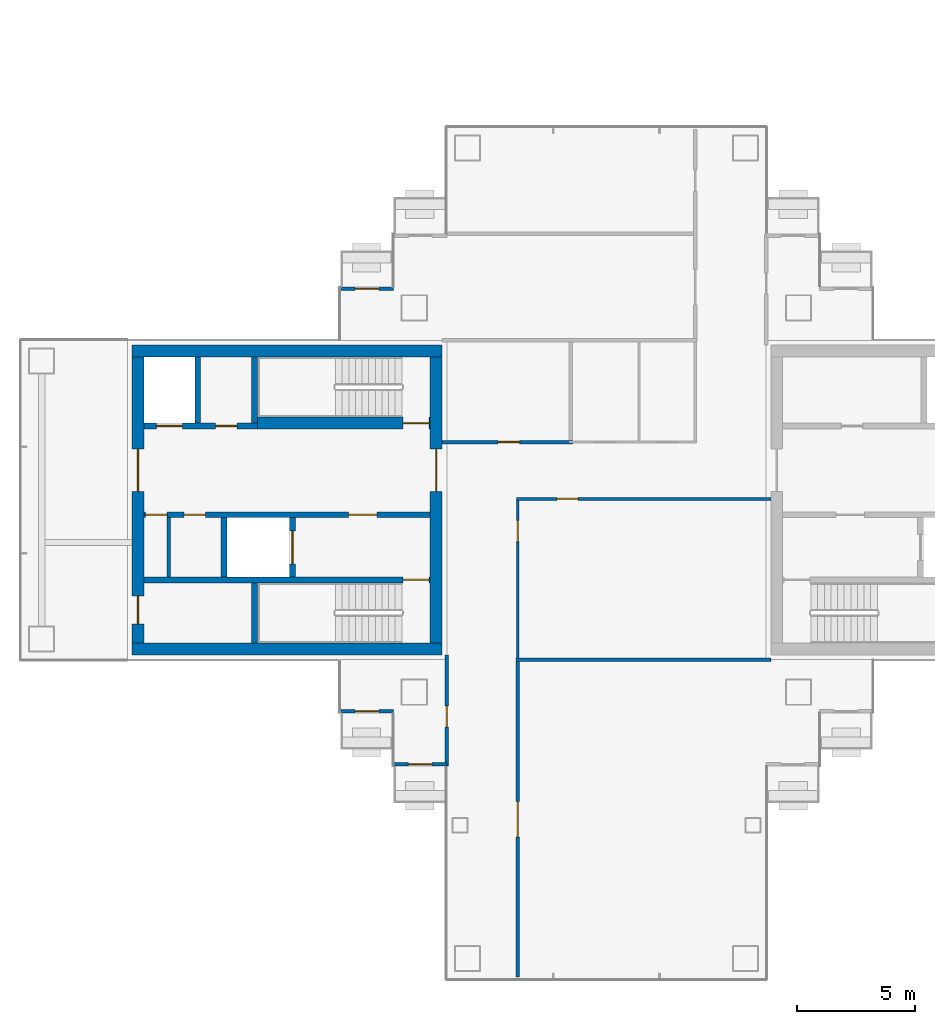
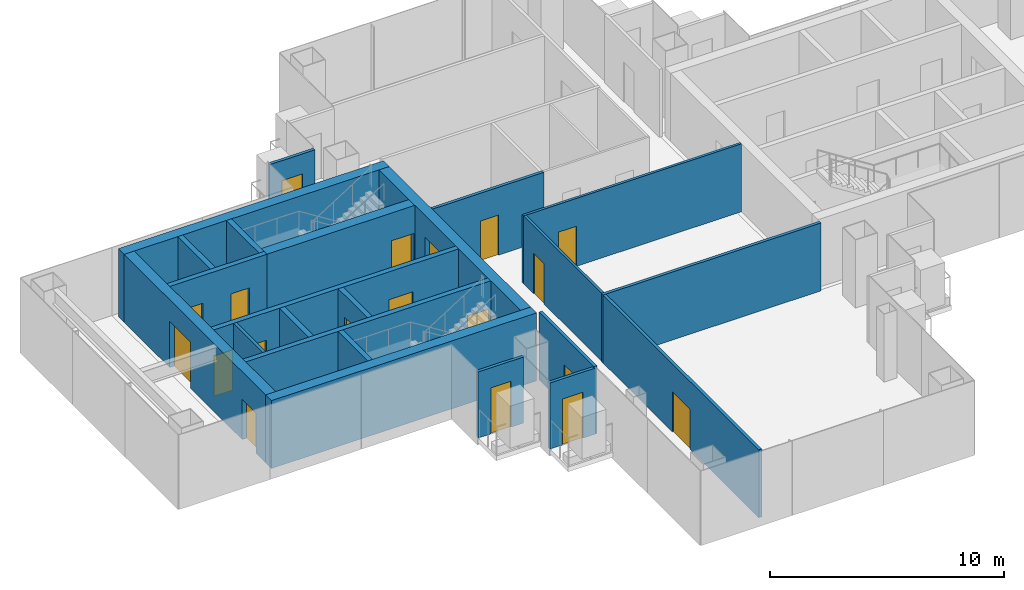
# One storey, part 9 of 16: 23 walls, 19 doors, 19 openings.
"""IFC4 building model written with IfcOpenShell, lengths in metres."""

from ifc_helpers import new_model, si_unit, direction, frame, frame_2d, origin, place, context, subcontext, project, spatial, rectangle, extrude, material, layer, layer_set, type_object, element, fill, save


model = new_model("IFC4")

# Units and contexts
model_context = context("Model", 3, precision=1e-05, world=origin(), true_north=direction((0.0, 1.0)))
body_context = subcontext(model_context, "Body", "Model", "MODEL_VIEW")
ifc_project = project(units=[si_unit("LENGTHUNIT", "METRE"), si_unit("AREAUNIT", "SQUARE_METRE"), si_unit("VOLUMEUNIT", "CUBIC_METRE"), si_unit("PLANEANGLEUNIT", "RADIAN"), si_unit("MASSUNIT", "GRAM", prefix="KILO")], contexts=[model_context])

# Site, building, storey
site_placement = place(None, origin())
site = spatial("IfcSite", under=ifc_project, at=site_placement, CompositionType="ELEMENT")
building_placement = place(site_placement, origin())
building = spatial("IfcBuilding", under=site, at=building_placement, Name="Shamsa Quay Exchange Towers", CompositionType="ELEMENT")
storey_placement = place(building_placement, frame((0.0, 0.0, 158.39990234375)))
storey = spatial("IfcBuildingStorey", under=building, at=storey_placement, Name="L37", CompositionType="ELEMENT", Elevation=158.39990234375)

# Wall, opening, door
ifc_material_1 = material(Name="Aluminium EN AW-6063 T6, black anodised, with black enamelled glass infill", Category="aluminium")
ifc_layer_1 = layer(ifc_material_1, 0.14990234375)
ifc_layer_set_1 = layer_set([ifc_layer_1], Name="BALCONY DOOR BAY WALL 150")
wall_type_1 = type_object("IfcWallType", Name="BALCONY DOOR BAY WALL 150", PredefinedType="SOLIDWALL", material=ifc_layer_set_1)
wall_1_placement = place(storey_placement, frame((-45.0, 8.925048828125, 0.0)))
wall_1 = element("IfcWall", 1, at=wall_1_placement, inside=storey, type_object=wall_type_1, Name="Door bay T1-PKWN L37", PredefinedType="SOLIDWALL", context=body_context, shape_type="SweptSolid", body=[
    extrude(rectangle(XDim=2.25, YDim=0.14990234375, at=frame_2d((1.125, 0.0))), origin(), (0.0, 0.0, 1.0), 3.4501953125),
])
opening_1_placement = place(wall_1_placement, frame((0.625, 0.0, 0.0)))
opening_1 = element("IfcOpeningElement", 2, at=opening_1_placement, cuts=wall_1, Name="Opening XD238", PredefinedType="OPENING", context=body_context, shape_type="SweptSolid", body=[
    extrude(rectangle(XDim=1.0, YDim=2.39990234375, at=frame_2d((0.5, 1.199951171875))), frame((0.0, 0.0849609375, 0.0), z_axis=(0.0, -1.0, 0.0), x_axis=(1.0, 0.0, 0.0)), (0.0, 0.0, 1.0), 0.169921875),
])
ifc_material_2 = material(Name="Aluminium EN AW-6063 T6, black anodised, with laminated glass leaf", Category="aluminium")
door_type_1 = type_object("IfcDoorType", Name="BALCONY DOOR 1000x2400", OperationType="SINGLE_SWING_LEFT", PredefinedType="DOOR", material=ifc_material_2)
door_1_placement = place(opening_1_placement, origin())
door_1 = element("IfcDoor", 3, at=door_1_placement, inside=storey, type_object=door_type_1, Name="Balcony door T1-PKWN L37", OperationType="SINGLE_SWING_RIGHT", OverallHeight=2.39990234375, OverallWidth=1.0, PredefinedType="DOOR", context=body_context, shape_type="SweptSolid", body=[
    extrude(rectangle(XDim=1.0, YDim=2.39990234375, at=frame_2d((0.5, 1.199951171875))), frame((0.0, 0.02490234375, 0.0), z_axis=(0.0, -1.0, 0.0), x_axis=(1.0, 0.0, 0.0)), (0.0, 0.0, 1.0), 0.050048828125),
])
fill(opening_1, door_1)

wall_2_placement = place(storey_placement, frame((-42.75, -8.925048828125, 0.0), z_axis=(0.0, 0.0, 1.0), x_axis=(-1.0, 0.0, 0.0)))
wall_2 = element("IfcWall", 4, at=wall_2_placement, inside=storey, type_object=wall_type_1, Name="Door bay T1-PKWS L37", PredefinedType="SOLIDWALL", context=body_context, shape_type="SweptSolid", body=[
    extrude(rectangle(XDim=2.25, YDim=0.14990234375, at=frame_2d((1.125, 0.0))), origin(), (0.0, 0.0, 1.0), 3.4501953125),
])
opening_2_placement = place(wall_2_placement, frame((0.625, 0.0, 0.0)))
opening_2 = element("IfcOpeningElement", 5, at=opening_2_placement, cuts=wall_2, Name="Opening XD239", PredefinedType="OPENING", context=body_context, shape_type="SweptSolid", body=[
    extrude(rectangle(XDim=1.0, YDim=2.39990234375, at=frame_2d((0.5, 1.199951171875))), frame((0.0, 0.0849609375, 0.0), z_axis=(0.0, -1.0, 0.0), x_axis=(1.0, 0.0, 0.0)), (0.0, 0.0, 1.0), 0.169921875),
])
door_2_placement = place(opening_2_placement, origin())
door_2 = element("IfcDoor", 6, at=door_2_placement, inside=storey, type_object=door_type_1, Name="Balcony door T1-PKWS L37", OperationType="SINGLE_SWING_LEFT", OverallHeight=2.39990234375, OverallWidth=1.0, PredefinedType="DOOR", context=body_context, shape_type="SweptSolid", body=[
    extrude(rectangle(XDim=1.0, YDim=2.39990234375, at=frame_2d((0.5, 1.199951171875))), frame((0.0, 0.02490234375, 0.0), z_axis=(0.0, -1.0, 0.0), x_axis=(1.0, 0.0, 0.0)), (0.0, 0.0, 1.0), 0.050048828125),
])
fill(opening_2, door_2)

wall_3_placement = place(storey_placement, frame((-40.5, -11.175048828125, 0.0), z_axis=(0.0, 0.0, 1.0), x_axis=(-1.0, 0.0, 0.0)))
wall_3 = element("IfcWall", 7, at=wall_3_placement, inside=storey, type_object=wall_type_1, Name="Door bay T1-PKWS L37", PredefinedType="SOLIDWALL", context=body_context, shape_type="SweptSolid", body=[
    extrude(rectangle(XDim=2.25, YDim=0.14990234375, at=frame_2d((1.125, 0.0))), origin(), (0.0, 0.0, 1.0), 3.4501953125),
])
opening_3_placement = place(wall_3_placement, frame((0.625, 0.0, 0.0)))
opening_3 = element("IfcOpeningElement", 8, at=opening_3_placement, cuts=wall_3, Name="Opening XD240", PredefinedType="OPENING", context=body_context, shape_type="SweptSolid", body=[
    extrude(rectangle(XDim=1.0, YDim=2.39990234375, at=frame_2d((0.5, 1.199951171875))), frame((0.0, 0.0849609375, 0.0), z_axis=(0.0, -1.0, 0.0), x_axis=(1.0, 0.0, 0.0)), (0.0, 0.0, 1.0), 0.169921875),
])
door_3_placement = place(opening_3_placement, origin())
door_3 = element("IfcDoor", 9, at=door_3_placement, inside=storey, type_object=door_type_1, Name="Balcony door T1-PKWS L37", OperationType="SINGLE_SWING_RIGHT", OverallHeight=2.39990234375, OverallWidth=1.0, PredefinedType="DOOR", context=body_context, shape_type="SweptSolid", body=[
    extrude(rectangle(XDim=1.0, YDim=2.39990234375, at=frame_2d((0.5, 1.199951171875))), frame((0.0, 0.02490234375, 0.0), z_axis=(0.0, -1.0, 0.0), x_axis=(1.0, 0.0, 0.0)), (0.0, 0.0, 1.0), 0.050048828125),
])
fill(opening_3, door_3)

# Walls
ifc_material_3 = material(Name="Concrete C60/75", Category="concrete")
ifc_layer_2 = layer(ifc_material_3, 0.5)
ifc_layer_set_2 = layer_set([ifc_layer_2], Name="CORE WALL 500 C60/75")
wall_type_2 = type_object("IfcWallType", Name="CORE WALL 500 C60/75", PredefinedType="SHEAR", material=ifc_layer_set_2)
for number, where, z_axis, x_axis, name in (
    (10, (-40.699951171875, -6.300048828125, 0.0), (0.0, 0.0, 1.0), (-1.0, 0.0, 0.0), "Core wall T1B-R17-PS"),
    (11, (-40.699951171875, 6.300048828125, 0.0), (0.0, 0.0, 1.0), (-1.0, 0.0, 0.0), "Core wall T1B-R17-PN"),
):
    element("IfcWall", number, at=place(storey_placement, frame(where, z_axis=z_axis, x_axis=x_axis)), inside=storey, type_object=wall_type_2, Name=name, PredefinedType="SHEAR", context=body_context, shape_type="SweptSolid", body=[
        extrude(rectangle(XDim=13.10009765625, YDim=0.5, at=frame_2d((6.550048828125, 0.0))), origin(), (0.0, 0.0, 1.0), 3.550048828125),
    ])

# Wall, opening, door
wall_4_placement = place(storey_placement, frame((-40.949951171875, -6.050048828125, 0.0), z_axis=(0.0, 0.0, 1.0), x_axis=(0.0, 1.0, 0.0)))
wall_4 = element("IfcWall", 12, at=wall_4_placement, inside=storey, type_object=wall_type_2, Name="Core wall T1B-R17-PF", PredefinedType="SHEAR", context=body_context, shape_type="SweptSolid", body=[
    extrude(rectangle(XDim=12.10009765625, YDim=0.5, at=frame_2d((6.050048828125, 0.0))), origin(), (0.0, 0.0, 1.0), 3.550048828125),
])
opening_4_placement = place(wall_4_placement, frame((6.39990234375, 0.0, 0.0)))
opening_4 = element("IfcOpeningElement", 13, at=opening_4_placement, cuts=wall_4, Name="Opening T1B-R17-LBD01", PredefinedType="OPENING", context=body_context, shape_type="SweptSolid", body=[
    extrude(rectangle(XDim=1.800048828125, YDim=2.39990234375, at=frame_2d((0.89990234375, 1.199951171875))), frame((0.0, 0.260009765625, 0.0), z_axis=(0.0, -1.0, 0.0), x_axis=(1.0, 0.0, 0.0)), (0.0, 0.0, 1.0), 0.52001953125),
])
ifc_material_4 = material(Name="Steel, fire rated", Category="steel")
door_type_2 = type_object("IfcDoorType", Name="LIFT LOBBY DOOR PAIR 1800", OperationType="DOUBLE_DOOR_SINGLE_SWING", PredefinedType="DOOR", material=ifc_material_4)
door_4_placement = place(opening_4_placement, origin())
door_4 = element("IfcDoor", 14, at=door_4_placement, inside=storey, type_object=door_type_2, Name="T1B-R17-LBD01", OperationType="DOUBLE_DOOR_SINGLE_SWING", OverallHeight=2.39990234375, OverallWidth=1.800048828125, PredefinedType="DOOR", context=body_context, shape_type="SweptSolid", body=[
    extrude(rectangle(XDim=1.800048828125, YDim=2.39990234375, at=frame_2d((0.89990234375, 1.199951171875))), frame((0.0, 0.02490234375, 0.0), z_axis=(0.0, -1.0, 0.0), x_axis=(1.0, 0.0, 0.0)), (0.0, 0.0, 1.0), 0.050048828125),
])
fill(opening_4, door_4)

# Wall, openings, doors
wall_5_placement = place(storey_placement, frame((-53.550048828125, -6.050048828125, 0.0), z_axis=(0.0, 0.0, 1.0), x_axis=(0.0, 1.0, 0.0)))
wall_5 = element("IfcWall", 15, at=wall_5_placement, inside=storey, type_object=wall_type_2, Name="Core wall T1B-R17-PB", PredefinedType="SHEAR", context=body_context, shape_type="SweptSolid", body=[
    extrude(rectangle(XDim=12.10009765625, YDim=0.5, at=frame_2d((6.050048828125, 0.0))), origin(), (0.0, 0.0, 1.0), 3.550048828125),
])
opening_5_placement = place(wall_5_placement, frame((0.800048828125, 0.0, 0.0)))
opening_5 = element("IfcOpeningElement", 16, at=opening_5_placement, cuts=wall_5, Name="Opening T1B-R17-RD02", PredefinedType="OPENING", context=body_context, shape_type="SweptSolid", body=[
    extrude(rectangle(XDim=1.199951171875, YDim=2.10009765625, at=frame_2d((0.60009765625, 1.050048828125))), frame((0.0, 0.260009765625, 0.0), z_axis=(0.0, -1.0, 0.0), x_axis=(1.0, 0.0, 0.0)), (0.0, 0.0, 1.0), 0.52001953125),
])
opening_6_placement = place(wall_5_placement, frame((6.39990234375, 0.0, 0.0)))
opening_6 = element("IfcOpeningElement", 17, at=opening_6_placement, cuts=wall_5, Name="Opening T1B-R17-LBD03", PredefinedType="OPENING", context=body_context, shape_type="SweptSolid", body=[
    extrude(rectangle(XDim=1.800048828125, YDim=2.39990234375, at=frame_2d((0.89990234375, 1.199951171875))), frame((0.0, 0.260009765625, 0.0), z_axis=(0.0, -1.0, 0.0), x_axis=(1.0, 0.0, 0.0)), (0.0, 0.0, 1.0), 0.52001953125),
])
door_5_placement = place(opening_6_placement, origin())
door_5 = element("IfcDoor", 18, at=door_5_placement, inside=storey, type_object=door_type_2, Name="T1B-R17-LBD03", OperationType="DOUBLE_DOOR_SINGLE_SWING", OverallHeight=2.39990234375, OverallWidth=1.800048828125, PredefinedType="DOOR", context=body_context, shape_type="SweptSolid", body=[
    extrude(rectangle(XDim=1.800048828125, YDim=2.39990234375, at=frame_2d((0.89990234375, 1.199951171875))), frame((0.0, 0.02490234375, 0.0), z_axis=(0.0, -1.0, 0.0), x_axis=(1.0, 0.0, 0.0)), (0.0, 0.0, 1.0), 0.050048828125),
])
fill(opening_6, door_5)
door_type_3 = type_object("IfcDoorType", Name="RISER ACCESS DOOR 1200", OperationType="SINGLE_SWING_LEFT", PredefinedType="DOOR", material=ifc_material_4)
door_6_placement = place(opening_5_placement, origin())
door_6 = element("IfcDoor", 19, at=door_6_placement, inside=storey, type_object=door_type_3, Name="T1B-R17-RD02", OperationType="SINGLE_SWING_LEFT", OverallHeight=2.10009765625, OverallWidth=1.199951171875, PredefinedType="DOOR", context=body_context, shape_type="SweptSolid", body=[
    extrude(rectangle(XDim=1.199951171875, YDim=2.10009765625, at=frame_2d((0.60009765625, 1.050048828125))), frame((0.0, 0.02490234375, 0.0), z_axis=(0.0, -1.0, 0.0), x_axis=(1.0, 0.0, 0.0)), (0.0, 0.0, 1.0), 0.050048828125),
])
fill(opening_5, door_6)

# Wall
ifc_material_5 = material(Name="Gypsum board on steel studs, EI 60", Category="steel")
ifc_layer_3 = layer(ifc_material_5, 0.14990234375)
ifc_layer_set_3 = layer_set([ifc_layer_3], Name="FIRE PARTITION 150")
wall_type_3 = type_object("IfcWallType", Name="FIRE PARTITION 150", PredefinedType="PARTITIONING", material=ifc_layer_set_3)
wall_6_placement = place(storey_placement, frame((-52.25, -3.25, 0.0), z_axis=(0.0, 0.0, 1.0), x_axis=(0.0, 1.0, 0.0)))
element("IfcWall", 20, at=wall_6_placement, inside=storey, type_object=wall_type_3, Name="Partition T1B-R17-EC0", PredefinedType="PARTITIONING", context=body_context, shape_type="SweptSolid", body=[
    extrude(rectangle(XDim=2.5, YDim=0.14990234375, at=frame_2d((1.25, 0.0))), origin(), (0.0, 0.0, 1.0), 3.550048828125),
])

# Wall, opening, door
ifc_material_6 = material(Name="Laminated fire-resisting glass in a metal frame", Category="glass")
ifc_layer_4 = layer(ifc_material_6, 0.125)
ifc_layer_set_4 = layer_set([ifc_layer_4], Name="Glazed partition 125 mm EI 60")
wall_type_4 = type_object("IfcWallType", Name="Glazed partition 125 mm EI 60", PredefinedType="PARTITIONING", material=ifc_layer_set_4)
wall_7_placement = place(storey_placement, frame((-37.5625, 0.0498046875, 0.0)))
wall_7 = element("IfcWall", 21, at=wall_7_placement, inside=storey, type_object=wall_type_4, Name="Partition T1-R17-W06", PredefinedType="PARTITIONING", context=body_context, shape_type="SweptSolid", body=[
    extrude(rectangle(XDim=10.762451171875, YDim=0.125, at=frame_2d((5.38134765625, 0.0))), origin(), (0.0, 0.0, 1.0), 3.550048828125),
])
opening_7_placement = place(wall_7_placement, frame((1.71240234375, 0.0, 0.0)))
opening_7 = element("IfcOpeningElement", 22, at=opening_7_placement, cuts=wall_7, Name="Opening T1-R17-D05", PredefinedType="OPENING", context=body_context, shape_type="SweptSolid", body=[
    extrude(rectangle(XDim=0.89990234375, YDim=2.10009765625, at=frame_2d((0.449951171875, 1.050048828125))), frame((0.0, 0.072509765625, 0.0), z_axis=(0.0, -1.0, 0.0), x_axis=(1.0, 0.0, 0.0)), (0.0, 0.0, 1.0), 0.14501953125),
])
ifc_material_7 = material(Name="Timber door leaf in a metal frame", Category="wood")
door_type_4 = type_object("IfcDoorType", Name="Door 900x2100 FD30S", OperationType="NOTDEFINED", PredefinedType="DOOR", material=ifc_material_7)
door_7_placement = place(opening_7_placement, origin())
door_7 = element("IfcDoor", 23, at=door_7_placement, inside=storey, type_object=door_type_4, Name="Door T1-R17-D05", OperationType="SINGLE_SWING_LEFT", OverallHeight=2.10009765625, OverallWidth=0.89990234375, PredefinedType="DOOR", context=body_context, shape_type="SweptSolid", body=[
    extrude(rectangle(XDim=0.89990234375, YDim=2.10009765625, at=frame_2d((0.449951171875, 1.050048828125))), frame((0.0, 0.02490234375, 0.0), z_axis=(0.0, -1.0, 0.0), x_axis=(1.0, 0.0, 0.0)), (0.0, 0.0, 1.0), 0.050048828125),
])
fill(opening_7, door_7)

wall_8_placement = place(storey_placement, frame((-37.5, -6.675048828125, 0.0), z_axis=(0.0, 0.0, 1.0), x_axis=(0.0, 1.0, 0.0)))
wall_8 = element("IfcWall", 24, at=wall_8_placement, inside=storey, type_object=wall_type_4, Name="Partition T1-R17-W07", PredefinedType="PARTITIONING", context=body_context, shape_type="SweptSolid", body=[
    extrude(rectangle(XDim=6.662353515625, YDim=0.125, at=frame_2d((3.3310546875, 0.0))), origin(), (0.0, 0.0, 1.0), 3.550048828125),
])
opening_8_placement = place(wall_8_placement, frame((4.914794921875, 0.0, 0.0)))
opening_8 = element("IfcOpeningElement", 25, at=opening_8_placement, cuts=wall_8, Name="Opening T1-R17-D03", PredefinedType="OPENING", context=body_context, shape_type="SweptSolid", body=[
    extrude(rectangle(XDim=0.89990234375, YDim=2.10009765625, at=frame_2d((0.449951171875, 1.050048828125))), frame((0.0, 0.072509765625, 0.0), z_axis=(0.0, -1.0, 0.0), x_axis=(1.0, 0.0, 0.0)), (0.0, 0.0, 1.0), 0.14501953125),
])
door_8_placement = place(opening_8_placement, origin())
door_8 = element("IfcDoor", 26, at=door_8_placement, inside=storey, type_object=door_type_4, Name="Door T1-R17-D03", OperationType="SINGLE_SWING_RIGHT", OverallHeight=2.10009765625, OverallWidth=0.89990234375, PredefinedType="DOOR", context=body_context, shape_type="SweptSolid", body=[
    extrude(rectangle(XDim=0.89990234375, YDim=2.10009765625, at=frame_2d((0.449951171875, 1.050048828125))), frame((0.0, 0.02490234375, 0.0), z_axis=(0.0, -1.0, 0.0), x_axis=(1.0, 0.0, 0.0)), (0.0, 0.0, 1.0), 0.050048828125),
])
fill(opening_8, door_8)

ifc_material_8 = material(Name="Gypsum board partition on metal studs")
ifc_layer_5 = layer(ifc_material_8, 0.14990234375)
ifc_layer_set_5 = layer_set([ifc_layer_5], Name="Partition 150 mm EI 60")
wall_type_5 = type_object("IfcWallType", Name="Partition 150 mm EI 60", PredefinedType="PARTITIONING", material=ifc_layer_set_5)
wall_9_placement = place(storey_placement, frame((-40.699951171875, 2.4501953125, 0.0)))
wall_9 = element("IfcWall", 27, at=wall_9_placement, inside=storey, type_object=wall_type_5, Name="Partition T1-R17-W02", PredefinedType="PARTITIONING", context=body_context, shape_type="SweptSolid", body=[
    extrude(rectangle(XDim=5.52490234375, YDim=0.14990234375, at=frame_2d((2.762451171875, 0.0))), origin(), (0.0, 0.0, 1.0), 3.550048828125),
])
opening_9_placement = place(wall_9_placement, frame((2.375, 0.0, 0.0)))
opening_9 = element("IfcOpeningElement", 28, at=opening_9_placement, cuts=wall_9, Name="Opening T1-R17-D02", PredefinedType="OPENING", context=body_context, shape_type="SweptSolid", body=[
    extrude(rectangle(XDim=0.89990234375, YDim=2.10009765625, at=frame_2d((0.449951171875, 1.050048828125))), frame((0.0, 0.0849609375, 0.0), z_axis=(0.0, -1.0, 0.0), x_axis=(1.0, 0.0, 0.0)), (0.0, 0.0, 1.0), 0.169921875),
])
door_9_placement = place(opening_9_placement, origin())
door_9 = element("IfcDoor", 29, at=door_9_placement, inside=storey, type_object=door_type_4, Name="Door T1-R17-D02", OperationType="SINGLE_SWING_RIGHT", OverallHeight=2.10009765625, OverallWidth=0.89990234375, PredefinedType="DOOR", context=body_context, shape_type="SweptSolid", body=[
    extrude(rectangle(XDim=0.89990234375, YDim=2.10009765625, at=frame_2d((0.449951171875, 1.050048828125))), frame((0.0, 0.02490234375, 0.0), z_axis=(0.0, -1.0, 0.0), x_axis=(1.0, 0.0, 0.0)), (0.0, 0.0, 1.0), 0.050048828125),
])
fill(opening_9, door_9)

wall_10_placement = place(storey_placement, frame((-37.5, -6.824951171875, 0.0), z_axis=(0.0, 0.0, 1.0), x_axis=(0.0, -1.0, 0.0)))
wall_10 = element("IfcWall", 30, at=wall_10_placement, inside=storey, type_object=wall_type_5, Name="Partition T1-R17-W05", PredefinedType="PARTITIONING", context=body_context, shape_type="SweptSolid", body=[
    extrude(rectangle(XDim=13.330078125, YDim=0.14990234375, at=frame_2d((6.6650390625, 0.0))), origin(), (0.0, 0.0, 1.0), 3.550048828125),
])
opening_10_placement = place(wall_10_placement, frame((5.925048828125, 0.0, 0.0)))
opening_10 = element("IfcOpeningElement", 31, at=opening_10_placement, cuts=wall_10, Name="Opening T1-R17-D04", PredefinedType="OPENING", context=body_context, shape_type="SweptSolid", body=[
    extrude(rectangle(XDim=1.5, YDim=2.10009765625, at=frame_2d((0.75, 1.050048828125))), frame((0.0, 0.0849609375, 0.0), z_axis=(0.0, -1.0, 0.0), x_axis=(1.0, 0.0, 0.0)), (0.0, 0.0, 1.0), 0.169921875),
])
door_type_5 = type_object("IfcDoorType", Name="Door 1500x2100 FD30S pair", OperationType="NOTDEFINED", PredefinedType="DOOR", material=ifc_material_7)
door_10_placement = place(opening_10_placement, origin())
door_10 = element("IfcDoor", 32, at=door_10_placement, inside=storey, type_object=door_type_5, Name="Door T1-R17-D04", OperationType="DOUBLE_DOOR_SINGLE_SWING", OverallHeight=2.10009765625, OverallWidth=1.5, PredefinedType="DOOR", context=body_context, shape_type="SweptSolid", body=[
    extrude(rectangle(XDim=1.5, YDim=2.10009765625, at=frame_2d((0.75, 1.050048828125))), frame((0.0, 0.02490234375, 0.0), z_axis=(0.0, -1.0, 0.0), x_axis=(1.0, 0.0, 0.0)), (0.0, 0.0, 1.0), 0.050048828125),
])
fill(opening_10, door_10)

wall_11_placement = place(storey_placement, frame((-40.5, -11.25, 0.0), z_axis=(0.0, 0.0, 1.0), x_axis=(0.0, 1.0, 0.0)))
wall_11 = element("IfcWall", 33, at=wall_11_placement, inside=storey, type_object=wall_type_5, Name="Partition T1-R17-W08", PredefinedType="PARTITIONING", context=body_context, shape_type="SweptSolid", body=[
    extrude(rectangle(XDim=4.699951171875, YDim=0.14990234375, at=frame_2d((2.35009765625, 0.0))), origin(), (0.0, 0.0, 1.0), 3.550048828125),
])
opening_11_placement = place(wall_11_placement, frame((1.64990234375, 0.0, 0.0)))
opening_11 = element("IfcOpeningElement", 34, at=opening_11_placement, cuts=wall_11, Name="Opening T1-R17-D01", PredefinedType="OPENING", context=body_context, shape_type="SweptSolid", body=[
    extrude(rectangle(XDim=0.89990234375, YDim=2.10009765625, at=frame_2d((0.449951171875, 1.050048828125))), frame((0.0, 0.0849609375, 0.0), z_axis=(0.0, -1.0, 0.0), x_axis=(1.0, 0.0, 0.0)), (0.0, 0.0, 1.0), 0.169921875),
])
door_11_placement = place(opening_11_placement, origin())
door_11 = element("IfcDoor", 35, at=door_11_placement, inside=storey, type_object=door_type_4, Name="Door T1-R17-D01", OperationType="SINGLE_SWING_LEFT", OverallHeight=2.10009765625, OverallWidth=0.89990234375, PredefinedType="DOOR", context=body_context, shape_type="SweptSolid", body=[
    extrude(rectangle(XDim=0.89990234375, YDim=2.10009765625, at=frame_2d((0.449951171875, 1.050048828125))), frame((0.0, 0.02490234375, 0.0), z_axis=(0.0, -1.0, 0.0), x_axis=(1.0, 0.0, 0.0)), (0.0, 0.0, 1.0), 0.050048828125),
])
fill(opening_11, door_11)

# Wall
wall_12_placement = place(storey_placement, frame((-26.800048828125, -6.75, 0.0), z_axis=(0.0, 0.0, 1.0), x_axis=(-1.0, 0.0, 0.0)))
element("IfcWall", 36, at=wall_12_placement, inside=storey, type_object=wall_type_5, Name="Partition T1-R17-W14", PredefinedType="PARTITIONING", context=body_context, shape_type="SweptSolid", body=[
    extrude(rectangle(XDim=10.77490234375, YDim=0.14990234375, at=frame_2d((5.387451171875, 0.0))), origin(), (0.0, 0.0, 1.0), 3.550048828125),
])

# Wall, opening, door
ifc_material_9 = material(Name="Concrete C50/60", Category="concrete")
ifc_layer_6 = layer(ifc_material_9, 0.25)
ifc_layer_set_6 = layer_set([ifc_layer_6], Name="SHAFT WALL 250 C50/60")
wall_type_6 = type_object("IfcWallType", Name="SHAFT WALL 250 C50/60", PredefinedType="SHEAR", material=ifc_layer_set_6)
wall_13_placement = place(storey_placement, frame((-41.199951171875, -3.375, 0.0), z_axis=(0.0, 0.0, 1.0), x_axis=(-1.0, 0.0, 0.0)))
wall_13 = element("IfcWall", 37, at=wall_13_placement, inside=storey, type_object=wall_type_6, Name="Shaft wall T1B-R17-STL", PredefinedType="SHEAR", context=body_context, shape_type="SweptSolid", body=[
    extrude(rectangle(XDim=12.10009765625, YDim=0.25, at=frame_2d((6.050048828125, 0.0))), origin(), (0.0, 0.0, 1.0), 3.550048828125),
])
opening_12_placement = place(wall_13_placement, frame((0.050048828125, 0.0, 0.0)))
opening_12 = element("IfcOpeningElement", 38, at=opening_12_placement, cuts=wall_13, Name="Opening T1B-R17-SD04", PredefinedType="OPENING", context=body_context, shape_type="SweptSolid", body=[
    extrude(rectangle(XDim=1.10009765625, YDim=2.10009765625, at=frame_2d((0.550048828125, 1.050048828125))), frame((0.0, 0.135009765625, 0.0), z_axis=(0.0, -1.0, 0.0), x_axis=(1.0, 0.0, 0.0)), (0.0, 0.0, 1.0), 0.27001953125),
])
door_type_6 = type_object("IfcDoorType", Name="STAIR DOOR 1100", OperationType="SINGLE_SWING_LEFT", PredefinedType="DOOR", material=ifc_material_4)
door_12_placement = place(opening_12_placement, origin())
door_12 = element("IfcDoor", 39, at=door_12_placement, inside=storey, type_object=door_type_6, Name="T1B-R17-SD04", OperationType="SINGLE_SWING_LEFT", OverallHeight=2.10009765625, OverallWidth=1.10009765625, PredefinedType="DOOR", context=body_context, shape_type="SweptSolid", body=[
    extrude(rectangle(XDim=1.10009765625, YDim=2.10009765625, at=frame_2d((0.550048828125, 1.050048828125))), frame((0.0, 0.02490234375, 0.0), z_axis=(0.0, -1.0, 0.0), x_axis=(1.0, 0.0, 0.0)), (0.0, 0.0, 1.0), 0.050048828125),
])
fill(opening_12, door_12)

# Wall
wall_14_placement = place(storey_placement, frame((-48.625, -6.050048828125, 0.0), z_axis=(0.0, 0.0, 1.0), x_axis=(0.0, 1.0, 0.0)))
element("IfcWall", 40, at=wall_14_placement, inside=storey, type_object=wall_type_6, Name="Shaft wall T1B-R17-STF", PredefinedType="SHEAR", context=body_context, shape_type="SweptSolid", body=[
    extrude(rectangle(XDim=2.550048828125, YDim=0.25, at=frame_2d((1.27490234375, 0.0))), origin(), (0.0, 0.0, 1.0), 3.550048828125),
])

# Wall, openings, doors
wall_15_placement = place(storey_placement, frame((-41.199951171875, -0.625, 0.0), z_axis=(0.0, 0.0, 1.0), x_axis=(-1.0, 0.0, 0.0)))
wall_15 = element("IfcWall", 41, at=wall_15_placement, inside=storey, type_object=wall_type_6, Name="Shaft wall T1B-R17-B", PredefinedType="SHEAR", context=body_context, shape_type="SweptSolid", body=[
    extrude(rectangle(XDim=12.10009765625, YDim=0.25, at=frame_2d((6.050048828125, 0.0))), origin(), (0.0, 0.0, 1.0), 3.550048828125),
])
opening_13_placement = place(wall_15_placement, frame((2.25, 0.0, 0.0)))
opening_13 = element("IfcOpeningElement", 42, at=opening_13_placement, cuts=wall_15, Name="Opening T1B-R17-FD05", PredefinedType="OPENING", context=body_context, shape_type="SweptSolid", body=[
    extrude(rectangle(XDim=1.199951171875, YDim=2.10009765625, at=frame_2d((0.60009765625, 1.050048828125))), frame((0.0, 0.135009765625, 0.0), z_axis=(0.0, -1.0, 0.0), x_axis=(1.0, 0.0, 0.0)), (0.0, 0.0, 1.0), 0.27001953125),
])
opening_14_placement = place(wall_15_placement, frame((9.5, 0.0, 0.0)))
opening_14 = element("IfcOpeningElement", 43, at=opening_14_placement, cuts=wall_15, Name="Opening T1B-R17-SV06", PredefinedType="OPENING", context=body_context, shape_type="SweptSolid", body=[
    extrude(rectangle(XDim=0.89990234375, YDim=2.10009765625, at=frame_2d((0.449951171875, 1.050048828125))), frame((0.0, 0.135009765625, 0.0), z_axis=(0.0, -1.0, 0.0), x_axis=(1.0, 0.0, 0.0)), (0.0, 0.0, 1.0), 0.27001953125),
])
opening_15_placement = place(wall_15_placement, frame((11.125, 0.0, 0.0)))
opening_15 = element("IfcOpeningElement", 44, at=opening_15_placement, cuts=wall_15, Name="Opening T1B-R17-SV07", PredefinedType="OPENING", context=body_context, shape_type="SweptSolid", body=[
    extrude(rectangle(XDim=0.89990234375, YDim=2.10009765625, at=frame_2d((0.449951171875, 1.050048828125))), frame((0.0, 0.135009765625, 0.0), z_axis=(0.0, -1.0, 0.0), x_axis=(1.0, 0.0, 0.0)), (0.0, 0.0, 1.0), 0.27001953125),
])
door_type_7 = type_object("IfcDoorType", Name="FIRE SERVICE LOBBY DOOR 1200", OperationType="SINGLE_SWING_LEFT", PredefinedType="DOOR", material=ifc_material_4)
door_13_placement = place(opening_13_placement, origin())
door_13 = element("IfcDoor", 45, at=door_13_placement, inside=storey, type_object=door_type_7, Name="T1B-R17-FD05", OperationType="SINGLE_SWING_LEFT", OverallHeight=2.10009765625, OverallWidth=1.199951171875, PredefinedType="DOOR", context=body_context, shape_type="SweptSolid", body=[
    extrude(rectangle(XDim=1.199951171875, YDim=2.10009765625, at=frame_2d((0.60009765625, 1.050048828125))), frame((0.0, 0.02490234375, 0.0), z_axis=(0.0, -1.0, 0.0), x_axis=(1.0, 0.0, 0.0)), (0.0, 0.0, 1.0), 0.050048828125),
])
fill(opening_13, door_13)
door_type_8 = type_object("IfcDoorType", Name="SERVICE ROOM DOOR 900", OperationType="SINGLE_SWING_LEFT", PredefinedType="DOOR", material=ifc_material_4)
door_14_placement = place(opening_14_placement, origin())
door_14 = element("IfcDoor", 46, at=door_14_placement, inside=storey, type_object=door_type_8, Name="T1B-R17-SV06", OperationType="SINGLE_SWING_RIGHT", OverallHeight=2.10009765625, OverallWidth=0.89990234375, PredefinedType="DOOR", context=body_context, shape_type="SweptSolid", body=[
    extrude(rectangle(XDim=0.89990234375, YDim=2.10009765625, at=frame_2d((0.449951171875, 1.050048828125))), frame((0.0, 0.02490234375, 0.0), z_axis=(0.0, -1.0, 0.0), x_axis=(1.0, 0.0, 0.0)), (0.0, 0.0, 1.0), 0.050048828125),
])
fill(opening_14, door_14)
door_15_placement = place(opening_15_placement, origin())
door_15 = element("IfcDoor", 47, at=door_15_placement, inside=storey, type_object=door_type_8, Name="T1B-R17-SV07", OperationType="SINGLE_SWING_RIGHT", OverallHeight=2.10009765625, OverallWidth=0.89990234375, PredefinedType="DOOR", context=body_context, shape_type="SweptSolid", body=[
    extrude(rectangle(XDim=0.89990234375, YDim=2.10009765625, at=frame_2d((0.449951171875, 1.050048828125))), frame((0.0, 0.02490234375, 0.0), z_axis=(0.0, -1.0, 0.0), x_axis=(1.0, 0.0, 0.0)), (0.0, 0.0, 1.0), 0.050048828125),
])
fill(opening_15, door_15)

# Wall, opening, door
wall_16_placement = place(storey_placement, frame((-47.02490234375, -3.25, 0.0), z_axis=(0.0, 0.0, 1.0), x_axis=(0.0, 1.0, 0.0)))
wall_16 = element("IfcWall", 48, at=wall_16_placement, inside=storey, type_object=wall_type_6, Name="Shaft wall T1B-R17-FFF", PredefinedType="SHEAR", context=body_context, shape_type="SweptSolid", body=[
    extrude(rectangle(XDim=2.5, YDim=0.25, at=frame_2d((1.25, 0.0))), origin(), (0.0, 0.0, 1.0), 3.550048828125),
])
opening_16_placement = place(wall_16_placement, frame((0.550048828125, 0.0, 0.0)))
opening_16 = element("IfcOpeningElement", 49, at=opening_16_placement, cuts=wall_16, Name="Opening T1B-R17-LDG08", PredefinedType="OPENING", context=body_context, shape_type="SweptSolid", body=[
    extrude(rectangle(XDim=1.39990234375, YDim=2.39990234375, at=frame_2d((0.699951171875, 1.199951171875))), frame((0.0, 0.135009765625, 0.0), z_axis=(0.0, -1.0, 0.0), x_axis=(1.0, 0.0, 0.0)), (0.0, 0.0, 1.0), 0.27001953125),
])
door_type_9 = type_object("IfcDoorType", Name="GOODS LIFT LANDING DOOR 1400", OperationType="SLIDING_TO_LEFT", PredefinedType="DOOR", material=ifc_material_4)
door_16_placement = place(opening_16_placement, origin())
door_16 = element("IfcDoor", 50, at=door_16_placement, inside=storey, type_object=door_type_9, Name="T1B-R17-LDG08", OperationType="SLIDING_TO_LEFT", OverallHeight=2.39990234375, OverallWidth=1.39990234375, PredefinedType="DOOR", context=body_context, shape_type="SweptSolid", body=[
    extrude(rectangle(XDim=1.39990234375, YDim=2.39990234375, at=frame_2d((0.699951171875, 1.199951171875))), frame((0.0, 0.02490234375, 0.0), z_axis=(0.0, -1.0, 0.0), x_axis=(1.0, 0.0, 0.0)), (0.0, 0.0, 1.0), 0.050048828125),
])
fill(opening_16, door_16)

# Wall
wall_17_placement = place(storey_placement, frame((-49.925048828125, -3.25, 0.0), z_axis=(0.0, 0.0, 1.0), x_axis=(0.0, 1.0, 0.0)))
element("IfcWall", 51, at=wall_17_placement, inside=storey, type_object=wall_type_6, Name="Shaft wall T1B-R17-FFB", PredefinedType="SHEAR", context=body_context, shape_type="SweptSolid", body=[
    extrude(rectangle(XDim=2.5, YDim=0.25, at=frame_2d((1.25, 0.0))), origin(), (0.0, 0.0, 1.0), 3.550048828125),
])

# Wall, openings, doors
wall_18_placement = place(storey_placement, frame((-53.300048828125, 3.125, 0.0)))
wall_18 = element("IfcWall", 52, at=wall_18_placement, inside=storey, type_object=wall_type_6, Name="Shaft wall T1B-R17-N2", PredefinedType="SHEAR", context=body_context, shape_type="SweptSolid", body=[
    extrude(rectangle(XDim=4.800048828125, YDim=0.25, at=frame_2d((2.39990234375, 0.0))), origin(), (0.0, 0.0, 1.0), 3.550048828125),
])
opening_17_placement = place(wall_18_placement, frame((0.52490234375, 0.0, 0.0)))
opening_17 = element("IfcOpeningElement", 53, at=opening_17_placement, cuts=wall_18, Name="Opening T1B-R17-LD10", PredefinedType="OPENING", context=body_context, shape_type="SweptSolid", body=[
    extrude(rectangle(XDim=1.10009765625, YDim=2.10009765625, at=frame_2d((0.550048828125, 1.050048828125))), frame((0.0, 0.135009765625, 0.0), z_axis=(0.0, -1.0, 0.0), x_axis=(1.0, 0.0, 0.0)), (0.0, 0.0, 1.0), 0.27001953125),
])
opening_18_placement = place(wall_18_placement, frame((3.02490234375, 0.0, 0.0)))
opening_18 = element("IfcOpeningElement", 54, at=opening_18_placement, cuts=wall_18, Name="Opening T1B-R17-SV11", PredefinedType="OPENING", context=body_context, shape_type="SweptSolid", body=[
    extrude(rectangle(XDim=0.89990234375, YDim=2.10009765625, at=frame_2d((0.449951171875, 1.050048828125))), frame((0.0, 0.135009765625, 0.0), z_axis=(0.0, -1.0, 0.0), x_axis=(1.0, 0.0, 0.0)), (0.0, 0.0, 1.0), 0.27001953125),
])
door_type_10 = type_object("IfcDoorType", Name="LANDING DOOR 1100", OperationType="SLIDING_TO_LEFT", PredefinedType="DOOR", material=ifc_material_4)
door_17_placement = place(opening_17_placement, origin())
door_17 = element("IfcDoor", 55, at=door_17_placement, inside=storey, type_object=door_type_10, Name="T1B-R17-LD10", OperationType="SLIDING_TO_LEFT", OverallHeight=2.10009765625, OverallWidth=1.10009765625, PredefinedType="DOOR", context=body_context, shape_type="SweptSolid", body=[
    extrude(rectangle(XDim=1.10009765625, YDim=2.10009765625, at=frame_2d((0.550048828125, 1.050048828125))), frame((0.0, 0.02490234375, 0.0), z_axis=(0.0, -1.0, 0.0), x_axis=(1.0, 0.0, 0.0)), (0.0, 0.0, 1.0), 0.050048828125),
])
fill(opening_17, door_17)
door_18_placement = place(opening_18_placement, origin())
door_18 = element("IfcDoor", 56, at=door_18_placement, inside=storey, type_object=door_type_8, Name="T1B-R17-SV11", OperationType="SINGLE_SWING_RIGHT", OverallHeight=2.10009765625, OverallWidth=0.89990234375, PredefinedType="DOOR", context=body_context, shape_type="SweptSolid", body=[
    extrude(rectangle(XDim=0.89990234375, YDim=2.10009765625, at=frame_2d((0.449951171875, 1.050048828125))), frame((0.0, 0.02490234375, 0.0), z_axis=(0.0, -1.0, 0.0), x_axis=(1.0, 0.0, 0.0)), (0.0, 0.0, 1.0), 0.050048828125),
])
fill(opening_18, door_18)

# Walls
for number, where, z_axis, x_axis, name in (
    (57, (-48.625, 3.25, 0.0), (0.0, 0.0, 1.0), (0.0, 1.0, 0.0), "Shaft wall T1B-R17-STF2"),
    (58, (-51.02490234375, 3.25, 0.0), (0.0, 0.0, 1.0), (0.0, 1.0, 0.0), "Shaft wall T1B-R17-D0"),
):
    element("IfcWall", number, at=place(storey_placement, frame(where, z_axis=z_axis, x_axis=x_axis)), inside=storey, type_object=wall_type_6, Name=name, PredefinedType="SHEAR", context=body_context, shape_type="SweptSolid", body=[
        extrude(rectangle(XDim=2.800048828125, YDim=0.25, at=frame_2d((1.39990234375, 0.0))), origin(), (0.0, 0.0, 1.0), 3.550048828125),
    ])

# Wall, opening, door
ifc_layer_7 = layer(ifc_material_9, 0.5)
ifc_layer_set_7 = layer_set([ifc_layer_7], Name="SHAFT WALL 500 C50/60")
wall_type_7 = type_object("IfcWallType", Name="SHAFT WALL 500 C50/60", PredefinedType="SHEAR", material=ifc_layer_set_7)
wall_19_placement = place(storey_placement, frame((-48.5, 3.25, 0.0)))
wall_19 = element("IfcWall", 59, at=wall_19_placement, inside=storey, type_object=wall_type_7, Name="Shaft wall T1B-R17-N", PredefinedType="SHEAR", context=body_context, shape_type="SweptSolid", body=[
    extrude(rectangle(XDim=7.300048828125, YDim=0.5, at=frame_2d((3.64990234375, 0.0))), origin(), (0.0, 0.0, 1.0), 3.550048828125),
])
opening_19_placement = place(wall_19_placement, frame((6.14990234375, 0.0, 0.0)))
opening_19 = element("IfcOpeningElement", 60, at=opening_19_placement, cuts=wall_19, Name="Opening T1B-R17-SD09", PredefinedType="OPENING", context=body_context, shape_type="SweptSolid", body=[
    extrude(rectangle(XDim=1.10009765625, YDim=2.10009765625, at=frame_2d((0.550048828125, 1.050048828125))), frame((0.0, 0.260009765625, 0.0), z_axis=(0.0, -1.0, 0.0), x_axis=(1.0, 0.0, 0.0)), (0.0, 0.0, 1.0), 0.52001953125),
])
door_19_placement = place(opening_19_placement, origin())
door_19 = element("IfcDoor", 61, at=door_19_placement, inside=storey, type_object=door_type_6, Name="T1B-R17-SD09", OperationType="SINGLE_SWING_RIGHT", OverallHeight=2.10009765625, OverallWidth=1.10009765625, PredefinedType="DOOR", context=body_context, shape_type="SweptSolid", body=[
    extrude(rectangle(XDim=1.10009765625, YDim=2.10009765625, at=frame_2d((0.550048828125, 1.050048828125))), frame((0.0, 0.02490234375, 0.0), z_axis=(0.0, -1.0, 0.0), x_axis=(1.0, 0.0, 0.0)), (0.0, 0.0, 1.0), 0.050048828125),
])
fill(opening_19, door_19)

save(model, "model.ifc")
